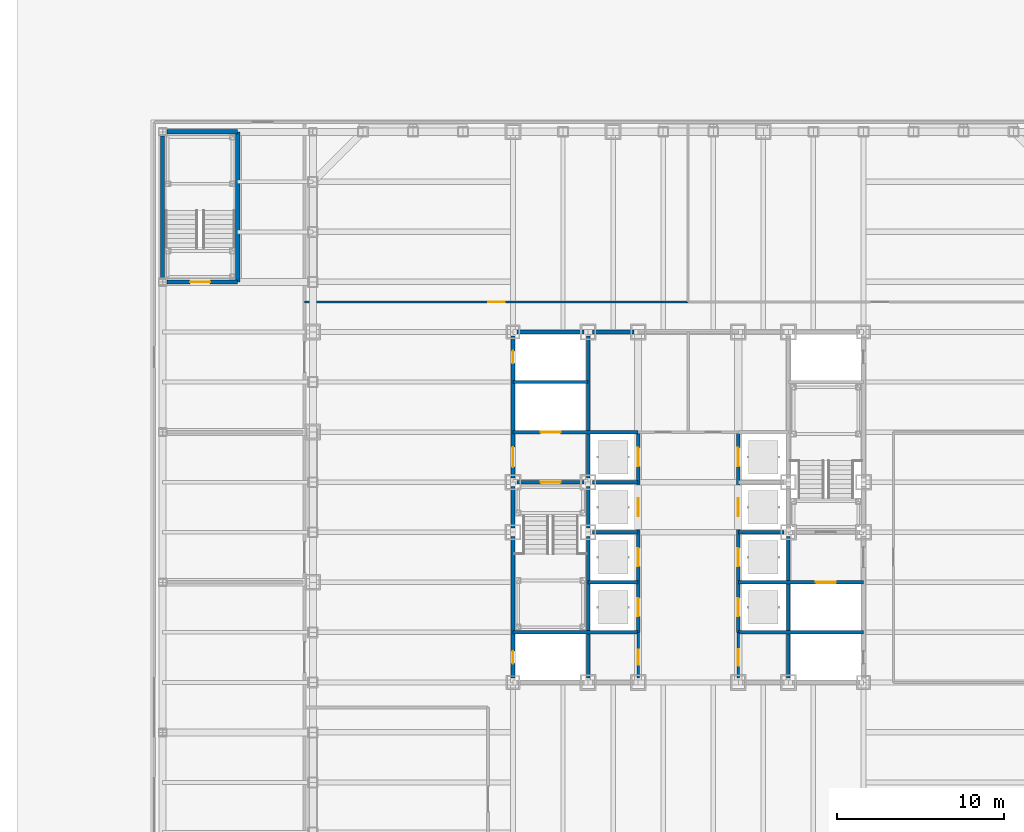
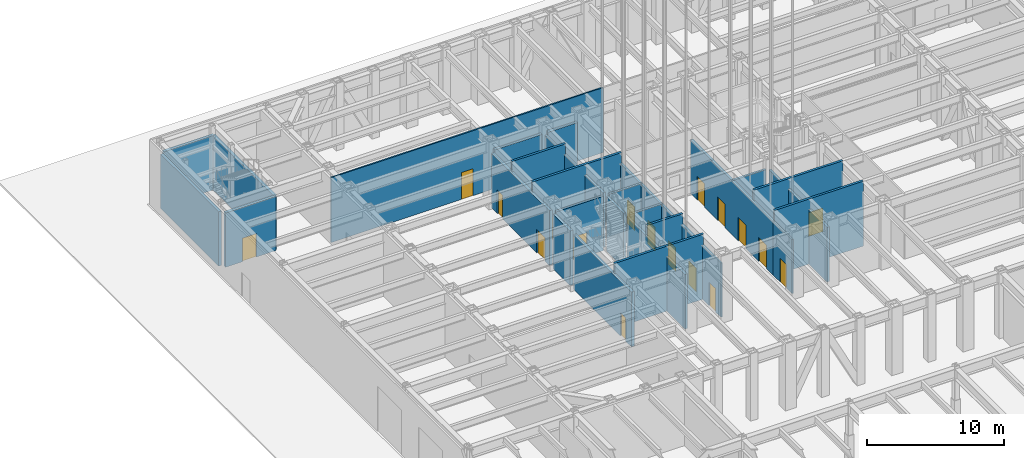
# One storey, part 8 of 35: 28 walls, 18 doors, 18 openings.
"""IFC4 building model written with IfcOpenShell, lengths in metres."""

import ifcopenshell
import ifcopenshell.guid

model = None  # the IFC model being written
_history = None  # IfcOwnerHistory: only IFC2X3 demands one
_inside = {}  # id of a spatial element -> (the spatial element, [elements in it])
_under = {}  # id of a project, library or spatial element -> (it, [spatial elements below it])
_declared = {}  # id of a project -> (the project, [libraries it declares])
_typed = {}  # id of a type object -> (the type object, [elements of that type])
_made_of = {}  # id of a material, layer set ... -> (it, [elements and type objects made of it])


def new_model(schema):
    """Start an empty IFC model of exactly this schema.

    Asked for "IFC4X3", IfcOpenShell would pick the latest addendum, in which some entities
    have other attributes; the version numbers below select the first issue.
    IFC2X3 requires an IfcOwnerHistory on every rooted entity: one is made here for all.
    """
    global model, _history
    if schema == "IFC4X3":
        model = ifcopenshell.file(schema_version=(4, 3, 0, 0))
    else:
        model = ifcopenshell.file(schema=schema)
    _inside.clear()
    _under.clear()
    _declared.clear()
    _typed.clear()
    _made_of.clear()
    _history = None
    if model.schema == "IFC2X3":
        org = make("IfcOrganization", Name="unknown")
        user = make(
            "IfcPersonAndOrganization",
            ThePerson=make("IfcPerson", FamilyName="unknown"),
            TheOrganization=org,
        )
        app = make(
            "IfcApplication",
            ApplicationDeveloper=org,
            Version="unknown",
            ApplicationFullName="unknown",
            ApplicationIdentifier="unknown",
        )
        _history = make(
            "IfcOwnerHistory",
            OwningUser=user,
            OwningApplication=app,
            ChangeAction="ADDED",
            CreationDate=0,
        )
    return model


def make(cls, **values):
    """One entity of the class cls with the attributes given. An attribute that is None is left unset."""
    return model.create_entity(
        cls, **{name: value for name, value in values.items() if value is not None}
    )


def rooted(cls, **values):
    """An entity with a GlobalId (a new one), such as an element, a storey or a relation."""
    return make(cls, GlobalId=ifcopenshell.guid.new(), OwnerHistory=_history, **values)


def si_unit(unit_type, name, prefix=None):
    """IfcSIUnit, for example si_unit("LENGTHUNIT", "METRE", prefix="MILLI")."""
    return make("IfcSIUnit", UnitType=unit_type, Prefix=prefix, Name=name)


def assignment(units):
    """IfcUnitAssignment: the units of a project."""
    return None if units is None else make("IfcUnitAssignment", Units=units)


def point(xyz):
    """IfcCartesianPoint."""
    return None if xyz is None else make("IfcCartesianPoint", Coordinates=xyz)


def direction(xyz):
    """IfcDirection."""
    return None if xyz is None else make("IfcDirection", DirectionRatios=xyz)


def frame(location, z_axis=None, x_axis=None):
    """IfcAxis2Placement3D, a coordinate frame: its origin and axes. An axis left out is left unset."""
    return make(
        "IfcAxis2Placement3D",
        Location=point(location),
        Axis=direction(z_axis),
        RefDirection=direction(x_axis),
    )


def frame_2d(location, x_axis=None):
    """IfcAxis2Placement2D, a coordinate frame in the plane: its origin and x axis."""
    return make(
        "IfcAxis2Placement2D", Location=point(location), RefDirection=direction(x_axis)
    )


def origin():
    """The frame at (0, 0, 0) with its axes left unset."""
    return frame((0.0, 0.0, 0.0))


def place(relative_to, where):
    """IfcLocalPlacement: puts the frame where relative to a parent placement (None: the world)."""
    return make(
        "IfcLocalPlacement", PlacementRelTo=relative_to, RelativePlacement=where
    )


def context(
    kind, dimensions, precision=None, world=None, true_north=None, identifier=None
):
    """IfcGeometricRepresentationContext, for example the 3D "Model" context."""
    return make(
        "IfcGeometricRepresentationContext",
        ContextIdentifier=identifier,
        ContextType=kind,
        CoordinateSpaceDimension=dimensions,
        Precision=precision,
        WorldCoordinateSystem=world,
        TrueNorth=true_north,
    )


def subcontext(parent, identifier, kind, view, scale=None):
    """IfcGeometricRepresentationSubContext, for example "Body" below "Model"."""
    return make(
        "IfcGeometricRepresentationSubContext",
        ContextIdentifier=identifier,
        ContextType=kind,
        ParentContext=parent,
        TargetScale=scale,
        TargetView=view,
    )


def project(units=None, contexts=None):
    """IfcProject with its units and contexts."""
    return rooted(
        "IfcProject",
        Name="project",
        RepresentationContexts=contexts,
        UnitsInContext=assignment(units),
    )


def spatial(cls, under=None, at=None, **own):
    """A site, building, storey or space (cls), placed at a placement, below another one or the project."""
    s = rooted(cls, ObjectPlacement=at, **own)
    if under is not None:
        _under.setdefault(under.id(), (under, []))[1].append(s)
    return s


def profile(cls, at=None, kind="AREA", **sizes):
    """A parametric profile (cls). Its sizes go by their IFC names, for example OverallWidth=200.0."""
    return make(cls, ProfileType=kind, Position=at, **sizes)


def rectangle(**sizes):
    """IfcRectangleProfileDef."""
    return profile("IfcRectangleProfileDef", **sizes)


def extrude(swept, where, along, depth):
    """IfcExtrudedAreaSolid: the profile swept, set in the frame where, extruded along a direction by depth."""
    return make(
        "IfcExtrudedAreaSolid",
        SweptArea=swept,
        Position=where,
        ExtrudedDirection=direction(along),
        Depth=depth,
    )


def shape(context_of_items, identifier, shape_type, items):
    """IfcShapeRepresentation: the items that make up one representation, for example the "Body"."""
    return make(
        "IfcShapeRepresentation",
        ContextOfItems=context_of_items,
        RepresentationIdentifier=identifier,
        RepresentationType=shape_type,
        Items=items,
    )


def material(Name=None, Category=None):
    """IfcMaterial."""
    return make("IfcMaterial", Name=Name, Category=Category)


def layer(
    of_material, thickness, ventilated=None, Name=None, Category=None, Priority=None
):
    """IfcMaterialLayer: one layer of a wall or slab, of a material (None: an air gap)."""
    return make(
        "IfcMaterialLayer",
        Material=of_material,
        LayerThickness=thickness,
        IsVentilated=ventilated,
        Name=Name,
        Category=Category,
        Priority=Priority,
    )


def layer_set(layers, Name=None):
    """IfcMaterialLayerSet."""
    return make("IfcMaterialLayerSet", MaterialLayers=layers, LayerSetName=Name)


def made_of(thing, what):
    """Note that an element or type object is made of a material, layer set ...; save() writes the relation."""
    if what is not None:
        _made_of.setdefault(what.id(), (what, []))[1].append(thing)
    return thing


def type_object(cls, material=None, **own):
    """A type object (cls), such as IfcWallType, which elements share."""
    return made_of(rooted(cls, **own), material)


def element(
    cls,
    number,
    at=None,
    inside=None,
    cuts=None,
    type_object=None,
    material=None,
    context=None,
    identifier="Body",
    shape_type=None,
    held_by="IfcProductDefinitionShape",
    body=None,
    shapes=None,
    **own,
):
    """One element of the class cls, such as IfcWall. Its Tag is "e" and its number.

    at: its placement. inside: the storey or other place that contains it. cuts: it is an
    opening in that element (IfcRelVoidsElement). A single representation is given by context,
    identifier, shape_type and body (its items); several are given by shapes. held_by: the class
    of the entity that holds the representations. save() writes the other relations.
    """
    e = rooted(cls, Tag="e%d" % number, ObjectPlacement=at, **own)
    if body is not None:
        shapes = [shape(context, identifier, shape_type, body)]
    if shapes is not None:
        e.Representation = make(held_by, Representations=shapes)
    if inside is not None:
        _inside.setdefault(inside.id(), (inside, []))[1].append(e)
    if cuts is not None:
        rooted(
            "IfcRelVoidsElement", RelatingBuildingElement=cuts, RelatedOpeningElement=e
        )
    if type_object is not None:
        _typed.setdefault(type_object.id(), (type_object, []))[1].append(e)
    return made_of(e, material)


def fill(opening, filler):
    """IfcRelFillsElement: the door or window that sits in an opening."""
    return rooted(
        "IfcRelFillsElement",
        RelatingOpeningElement=opening,
        RelatedBuildingElement=filler,
    )


def aggregate(whole, parts):
    """IfcRelAggregates: a whole, such as a stair, and the parts it consists of."""
    return rooted("IfcRelAggregates", RelatingObject=whole, RelatedObjects=parts)


def save(model, path):
    """Write the relations noted so far, then the file.

    IfcRelAggregates (storeys below a building ...), IfcRelContainedInSpatialStructure (elements
    in a storey), IfcRelDefinesByType, IfcRelAssociatesMaterial and IfcRelDeclares: one each for
    every whole, place, type object, material and project.
    """
    for whole, parts in _under.values():
        aggregate(whole, parts)
    for where, things in _inside.values():
        rooted(
            "IfcRelContainedInSpatialStructure",
            RelatedElements=things,
            RelatingStructure=where,
        )
    for kind, things in _typed.values():
        rooted("IfcRelDefinesByType", RelatedObjects=things, RelatingType=kind)
    for what, things in _made_of.values():
        rooted("IfcRelAssociatesMaterial", RelatedObjects=things, RelatingMaterial=what)
    for by, libraries in _declared.values():
        rooted("IfcRelDeclares", RelatingContext=by, RelatedDefinitions=libraries)
    model.write(path)


model = new_model("IFC4")

# Units and contexts
model_context = context("Model", 3, precision=1e-05, world=origin(), true_north=direction((0.0, 1.0)))
body_context = subcontext(model_context, "Body", "Model", "MODEL_VIEW")
ifc_project = project(units=[si_unit("LENGTHUNIT", "METRE"), si_unit("AREAUNIT", "SQUARE_METRE"), si_unit("VOLUMEUNIT", "CUBIC_METRE"), si_unit("PLANEANGLEUNIT", "RADIAN"), si_unit("MASSUNIT", "GRAM", prefix="KILO")], contexts=[model_context])

# Site, building, storey
site_placement = place(None, origin())
site = spatial("IfcSite", under=ifc_project, at=site_placement, CompositionType="ELEMENT")
building_placement = place(site_placement, origin())
building = spatial("IfcBuilding", under=site, at=building_placement, Name="Chuquiago Exchange Tower", CompositionType="ELEMENT")
storey_placement = place(building_placement, origin())
storey = spatial("IfcBuildingStorey", under=building, at=storey_placement, Name="L00", CompositionType="ELEMENT", Elevation=0.0)

# Wall, opening, door
ifc_material_1 = material(Name="Concrete masonry, fully grouted", Category="masonry")
ifc_layer_1 = layer(ifc_material_1, 0.25)
ifc_layer_set_1 = layer_set([ifc_layer_1], Name="W1 core wall 250")
wall_type_1 = type_object("IfcWallType", Name="W1 core wall 250", PredefinedType="SOLIDWALL", material=ifc_layer_set_1)
wall_1_placement = place(storey_placement, frame((12.0, 12.25, 0.0), z_axis=(0.0, 0.0, 1.0), x_axis=(0.0, 1.0, 0.0)))
wall_1 = element("IfcWall", 1, at=wall_1_placement, inside=storey, type_object=wall_type_1, Name="CW-L00-00-0", PredefinedType="SOLIDWALL", context=body_context, shape_type="SweptSolid", body=[
    extrude(rectangle(XDim=8.5, YDim=0.25, at=frame_2d((4.25, 0.0))), origin(), (0.0, 0.0, 1.0), 4.872802734375),
])
opening_1_placement = place(wall_1_placement, frame((0.875, 0.0, 0.0)))
opening_1 = element("IfcOpeningElement", 2, at=opening_1_placement, cuts=wall_1, Name="Opening L00-007", PredefinedType="OPENING", context=body_context, shape_type="SweptSolid", body=[
    extrude(rectangle(XDim=0.75, YDim=2.10009765625, at=frame_2d((0.375, 1.050048828125))), frame((0.0, 0.135009765625, 0.0), z_axis=(0.0, -1.0, 0.0), x_axis=(1.0, 0.0, 0.0)), (0.0, 0.0, 1.0), 0.27001953125),
])
ifc_material_2 = material(Name="Steel door, painted", Category="steel")
door_type_1 = type_object("IfcDoorType", Name="D6 riser access door 750x2100", OperationType="SINGLE_SWING_LEFT", PredefinedType="DOOR", material=ifc_material_2)
door_1_placement = place(opening_1_placement, origin())
door_1 = element("IfcDoor", 3, at=door_1_placement, inside=storey, type_object=door_type_1, Name="Riser RW1 door", OperationType="SINGLE_SWING_LEFT", OverallHeight=2.10009765625, OverallWidth=0.75, PredefinedType="DOOR", context=body_context, shape_type="SweptSolid", body=[
    extrude(rectangle(XDim=0.75, YDim=2.10009765625, at=frame_2d((0.375, 1.050048828125))), frame((0.0, 0.02490234375, 0.0), z_axis=(0.0, -1.0, 0.0), x_axis=(1.0, 0.0, 0.0)), (0.0, 0.0, 1.0), 0.050048828125),
])
fill(opening_1, door_1)

# Wall
wall_2_placement = place(storey_placement, frame((12.0, 21.25, 0.0), z_axis=(0.0, 0.0, 1.0), x_axis=(0.0, 1.0, 0.0)))
element("IfcWall", 4, at=wall_2_placement, inside=storey, type_object=wall_type_1, Name="CW-L00-00-1", PredefinedType="SOLIDWALL", context=body_context, shape_type="SweptSolid", body=[
    extrude(rectangle(XDim=2.5, YDim=0.25, at=frame_2d((1.25, 0.0))), origin(), (0.0, 0.0, 1.0), 4.872802734375),
])

# Wall, openings, doors
wall_3_placement = place(storey_placement, frame((12.0, 24.25, 0.0), z_axis=(0.0, 0.0, 1.0), x_axis=(0.0, 1.0, 0.0)))
wall_3 = element("IfcWall", 5, at=wall_3_placement, inside=storey, type_object=wall_type_1, Name="CW-L00-00-2", PredefinedType="SOLIDWALL", context=body_context, shape_type="SweptSolid", body=[
    extrude(rectangle(XDim=8.5, YDim=0.25, at=frame_2d((4.25, 0.0))), origin(), (0.0, 0.0, 1.0), 4.872802734375),
])
opening_2_placement = place(wall_3_placement, frame((0.64990234375, 0.0, 0.0)))
opening_2 = element("IfcOpeningElement", 6, at=opening_2_placement, cuts=wall_3, Name="Opening L00-002", PredefinedType="OPENING", context=body_context, shape_type="SweptSolid", body=[
    extrude(rectangle(XDim=1.199951171875, YDim=2.10009765625, at=frame_2d((0.60009765625, 1.050048828125))), frame((0.0, 0.135009765625, 0.0), z_axis=(0.0, -1.0, 0.0), x_axis=(1.0, 0.0, 0.0)), (0.0, 0.0, 1.0), 0.27001953125),
])
opening_3_placement = place(wall_3_placement, frame((6.875, 0.0, 0.0)))
opening_3 = element("IfcOpeningElement", 7, at=opening_3_placement, cuts=wall_3, Name="Opening L00-008", PredefinedType="OPENING", context=body_context, shape_type="SweptSolid", body=[
    extrude(rectangle(XDim=0.75, YDim=2.10009765625, at=frame_2d((0.375, 1.050048828125))), frame((0.0, 0.135009765625, 0.0), z_axis=(0.0, -1.0, 0.0), x_axis=(1.0, 0.0, 0.0)), (0.0, 0.0, 1.0), 0.27001953125),
])
ifc_material_3 = material(Name="Steel door, painted", Category="steel")
door_type_2 = type_object("IfcDoorType", Name="D5 firefighting lobby door 1200x2100", OperationType="SINGLE_SWING_LEFT", PredefinedType="DOOR", material=ifc_material_3)
door_2_placement = place(opening_2_placement, origin())
door_2 = element("IfcDoor", 8, at=door_2_placement, inside=storey, type_object=door_type_2, Name="Firefighting lobby 1 door", OperationType="SINGLE_SWING_LEFT", OverallHeight=2.10009765625, OverallWidth=1.199951171875, PredefinedType="DOOR", context=body_context, shape_type="SweptSolid", body=[
    extrude(rectangle(XDim=1.199951171875, YDim=2.10009765625, at=frame_2d((0.60009765625, 1.050048828125))), frame((0.0, 0.02490234375, 0.0), z_axis=(0.0, -1.0, 0.0), x_axis=(1.0, 0.0, 0.0)), (0.0, 0.0, 1.0), 0.050048828125),
])
fill(opening_2, door_2)
door_3_placement = place(opening_3_placement, origin())
door_3 = element("IfcDoor", 9, at=door_3_placement, inside=storey, type_object=door_type_1, Name="Riser RW2 door", OperationType="SINGLE_SWING_RIGHT", OverallHeight=2.10009765625, OverallWidth=0.75, PredefinedType="DOOR", context=body_context, shape_type="SweptSolid", body=[
    extrude(rectangle(XDim=0.75, YDim=2.10009765625, at=frame_2d((0.375, 1.050048828125))), frame((0.0, 0.02490234375, 0.0), z_axis=(0.0, -1.0, 0.0), x_axis=(1.0, 0.0, 0.0)), (0.0, 0.0, 1.0), 0.050048828125),
])
fill(opening_3, door_3)

# Walls
wall_4_placement = place(storey_placement, frame((12.25, 33.0, 0.0), z_axis=(0.0, 0.0, 1.0), x_axis=(1.0, 0.0, 0.0)))
element("IfcWall", 10, at=wall_4_placement, inside=storey, type_object=wall_type_1, Name="CW-L00-11-0", PredefinedType="SOLIDWALL", context=body_context, shape_type="SweptSolid", body=[
    extrude(rectangle(XDim=4.0, YDim=0.25, at=frame_2d((2.0, 0.0))), origin(), (0.0, 0.0, 1.0), 4.94140625),
])
wall_5_placement = place(storey_placement, frame((16.75, 33.0, 0.0), z_axis=(0.0, 0.0, 1.0), x_axis=(1.0, 0.0, 0.0)))
element("IfcWall", 11, at=wall_5_placement, inside=storey, type_object=wall_type_1, Name="CW-L00-11-1", PredefinedType="SOLIDWALL", context=body_context, shape_type="SweptSolid", body=[
    extrude(rectangle(XDim=2.5, YDim=0.25, at=frame_2d((1.25, 0.0))), origin(), (0.0, 0.0, 1.0), 4.94140625),
])

# Wall, opening, door
ifc_material_4 = material(Name="Concrete masonry, fully grouted", Category="masonry")
ifc_layer_2 = layer(ifc_material_4, 0.25)
ifc_layer_set_2 = layer_set([ifc_layer_2], Name="W10 podium stair wall 250")
wall_type_2 = type_object("IfcWallType", Name="W10 podium stair wall 250", PredefinedType="SOLIDWALL", material=ifc_layer_set_2)
wall_6_placement = place(storey_placement, frame((-8.75, 36.0, 0.0), z_axis=(0.0, 0.0, 1.0), x_axis=(1.0, 0.0, 0.0)))
wall_6 = element("IfcWall", 12, at=wall_6_placement, inside=storey, type_object=wall_type_2, Name="PSW-L00-PS3-00", PredefinedType="SOLIDWALL", context=body_context, shape_type="SweptSolid", body=[
    extrude(rectangle(XDim=4.25, YDim=0.25, at=frame_2d((2.125, 0.0))), origin(), (0.0, 0.0, 1.0), 4.8525390625),
])
opening_4_placement = place(wall_6_placement, frame((1.39990234375, 0.0, 0.0)))
opening_4 = element("IfcOpeningElement", 13, at=opening_4_placement, cuts=wall_6, Name="Opening L00-036", PredefinedType="OPENING", context=body_context, shape_type="SweptSolid", body=[
    extrude(rectangle(XDim=1.199951171875, YDim=2.10009765625, at=frame_2d((0.60009765625, 1.050048828125))), frame((0.0, 0.135009765625, 0.0), z_axis=(0.0, -1.0, 0.0), x_axis=(1.0, 0.0, 0.0)), (0.0, 0.0, 1.0), 0.27001953125),
])
ifc_material_5 = material(Name="Steel door, painted", Category="steel")
door_type_3 = type_object("IfcDoorType", Name="D4 stair door 1200x2100", OperationType="SINGLE_SWING_LEFT", PredefinedType="DOOR", material=ifc_material_5)
door_4_placement = place(opening_4_placement, frame((1.199951171875, 0.0, 0.0), z_axis=(0.0, 0.0, 1.0), x_axis=(-1.0, 0.0, 0.0)))
door_4 = element("IfcDoor", 14, at=door_4_placement, inside=storey, type_object=door_type_3, Name="Stair PS3 door", OperationType="SINGLE_SWING_RIGHT", OverallHeight=2.10009765625, OverallWidth=1.199951171875, PredefinedType="DOOR", context=body_context, shape_type="SweptSolid", body=[
    extrude(rectangle(XDim=1.199951171875, YDim=2.10009765625, at=frame_2d((0.60009765625, 1.050048828125))), frame((0.0, 0.02490234375, 0.0), z_axis=(0.0, -1.0, 0.0), x_axis=(1.0, 0.0, 0.0)), (0.0, 0.0, 1.0), 0.050048828125),
])
fill(opening_4, door_4)

# Walls
wall_7_placement = place(storey_placement, frame((-4.5, 36.0, 0.0), z_axis=(0.0, 0.0, 1.0), x_axis=(0.0, 1.0, 0.0)))
element("IfcWall", 15, at=wall_7_placement, inside=storey, type_object=wall_type_2, Name="PSW-L00-PS3-10", PredefinedType="SOLIDWALL", context=body_context, shape_type="SweptSolid", body=[
    extrude(rectangle(XDim=9.0, YDim=0.25, at=frame_2d((4.5, 0.0))), origin(), (0.0, 0.0, 1.0), 4.8525390625),
])
wall_8_placement = place(storey_placement, frame((-8.75, 45.0, 0.0), z_axis=(0.0, 0.0, 1.0), x_axis=(1.0, 0.0, 0.0)))
element("IfcWall", 16, at=wall_8_placement, inside=storey, type_object=wall_type_2, Name="PSW-L00-PS3-20", PredefinedType="SOLIDWALL", context=body_context, shape_type="SweptSolid", body=[
    extrude(rectangle(XDim=4.25, YDim=0.25, at=frame_2d((2.125, 0.0))), origin(), (0.0, 0.0, 1.0), 4.8525390625),
])
wall_9_placement = place(storey_placement, frame((-9.0, 36.25, 0.0), z_axis=(0.0, 0.0, 1.0), x_axis=(0.0, 1.0, 0.0)))
element("IfcWall", 17, at=wall_9_placement, inside=storey, type_object=wall_type_2, Name="PSW-L00-PS3-30", PredefinedType="SOLIDWALL", context=body_context, shape_type="SweptSolid", body=[
    extrude(rectangle(XDim=8.5, YDim=0.25, at=frame_2d((4.25, 0.0))), origin(), (0.0, 0.0, 1.0), 4.8525390625),
])
ifc_material_6 = material(Name="Concrete masonry, fully grouted", Category="masonry")
ifc_layer_3 = layer(ifc_material_6, 0.199951171875)
ifc_layer_set_3 = layer_set([ifc_layer_3], Name="W2 shaft wall 200")
wall_type_3 = type_object("IfcWallType", Name="W2 shaft wall 200", PredefinedType="SOLIDWALL", material=ifc_layer_set_3)
for number, where, z_axis, x_axis, name in (
    (18, (12.0, 15.0, 0.0), (0.0, 0.0, 1.0), (1.0, 0.0, 0.0), "CW-L00-03-0"),
    (19, (25.5, 15.0, 0.0), (0.0, 0.0, 1.0), (1.0, 0.0, 0.0), "CW-L00-04-0"),
):
    element("IfcWall", number, at=place(storey_placement, frame(where, z_axis=z_axis, x_axis=x_axis)), inside=storey, type_object=wall_type_3, Name=name, PredefinedType="SOLIDWALL", context=body_context, shape_type="SweptSolid", body=[
        extrude(rectangle(XDim=7.5, YDim=0.199951171875, at=frame_2d((3.75, 0.0))), origin(), (0.0, 0.0, 1.0), 5.800048828125),
    ])

# Wall, opening, door
wall_10_placement = place(storey_placement, frame((12.25, 24.0, 0.0), z_axis=(0.0, 0.0, 1.0), x_axis=(1.0, 0.0, 0.0)))
wall_10 = element("IfcWall", 20, at=wall_10_placement, inside=storey, type_object=wall_type_3, Name="CW-L00-05-0", PredefinedType="SOLIDWALL", context=body_context, shape_type="SweptSolid", body=[
    extrude(rectangle(XDim=4.0, YDim=0.199951171875, at=frame_2d((2.0, 0.0))), origin(), (0.0, 0.0, 1.0), 4.85009765625),
])
opening_5_placement = place(wall_10_placement, frame((1.39990234375, 0.0, 0.0)))
opening_5 = element("IfcOpeningElement", 21, at=opening_5_placement, cuts=wall_10, Name="Opening L00-001", PredefinedType="OPENING", context=body_context, shape_type="SweptSolid", body=[
    extrude(rectangle(XDim=1.199951171875, YDim=2.10009765625, at=frame_2d((0.60009765625, 1.050048828125))), frame((0.0, 0.10986328125, 0.0), z_axis=(0.0, -1.0, 0.0), x_axis=(1.0, 0.0, 0.0)), (0.0, 0.0, 1.0), 0.219970703125),
])
door_5_placement = place(opening_5_placement, origin())
door_5 = element("IfcDoor", 22, at=door_5_placement, inside=storey, type_object=door_type_3, Name="Stair ST1 door", OperationType="SINGLE_SWING_LEFT", OverallHeight=2.10009765625, OverallWidth=1.199951171875, PredefinedType="DOOR", context=body_context, shape_type="SweptSolid", body=[
    extrude(rectangle(XDim=1.199951171875, YDim=2.10009765625, at=frame_2d((0.60009765625, 1.050048828125))), frame((0.0, 0.02490234375, 0.0), z_axis=(0.0, -1.0, 0.0), x_axis=(1.0, 0.0, 0.0)), (0.0, 0.0, 1.0), 0.050048828125),
])
fill(opening_5, door_5)

# Wall
wall_11_placement = place(storey_placement, frame((16.75, 24.0, 0.0), z_axis=(0.0, 0.0, 1.0), x_axis=(1.0, 0.0, 0.0)))
element("IfcWall", 23, at=wall_11_placement, inside=storey, type_object=wall_type_3, Name="CW-L00-05-1", PredefinedType="SOLIDWALL", context=body_context, shape_type="SweptSolid", body=[
    extrude(rectangle(XDim=2.75, YDim=0.199951171875, at=frame_2d((1.375, 0.0))), origin(), (0.0, 0.0, 1.0), 4.85009765625),
])

# Wall, opening, door
wall_12_placement = place(storey_placement, frame((12.0, 27.0, 0.0), z_axis=(0.0, 0.0, 1.0), x_axis=(1.0, 0.0, 0.0)))
wall_12 = element("IfcWall", 24, at=wall_12_placement, inside=storey, type_object=wall_type_3, Name="CW-L00-07-0", PredefinedType="SOLIDWALL", context=body_context, shape_type="SweptSolid", body=[
    extrude(rectangle(XDim=7.5, YDim=0.199951171875, at=frame_2d((3.75, 0.0))), origin(), (0.0, 0.0, 1.0), 5.800048828125),
])
opening_6_placement = place(wall_12_placement, frame((1.64990234375, 0.0, 0.0)))
opening_6 = element("IfcOpeningElement", 25, at=opening_6_placement, cuts=wall_12, Name="Opening L00-005", PredefinedType="OPENING", context=body_context, shape_type="SweptSolid", body=[
    extrude(rectangle(XDim=1.199951171875, YDim=2.10009765625, at=frame_2d((0.60009765625, 1.050048828125))), frame((0.0, 0.10986328125, 0.0), z_axis=(0.0, -1.0, 0.0), x_axis=(1.0, 0.0, 0.0)), (0.0, 0.0, 1.0), 0.219970703125),
])
ifc_material_7 = material(Name="Stainless steel lift landing door", Category="steel")
door_type_4 = type_object("IfcDoorType", Name="LD2 firefighting lift landing door 1200x2100", OperationType="DOUBLE_DOOR_SLIDING", PredefinedType="DOOR", material=ifc_material_7)
door_6_placement = place(opening_6_placement, origin())
door_6 = element("IfcDoor", 26, at=door_6_placement, inside=storey, type_object=door_type_4, Name="Firefighting lift FL1 landing door", OperationType="DOUBLE_DOOR_SLIDING", OverallHeight=2.10009765625, OverallWidth=1.199951171875, PredefinedType="DOOR", context=body_context, shape_type="SweptSolid", body=[
    extrude(rectangle(XDim=1.199951171875, YDim=2.10009765625, at=frame_2d((0.60009765625, 1.050048828125))), frame((0.0, 0.02490234375, 0.0), z_axis=(0.0, -1.0, 0.0), x_axis=(1.0, 0.0, 0.0)), (0.0, 0.0, 1.0), 0.050048828125),
])
fill(opening_6, door_6)

# Walls
wall_13_placement = place(storey_placement, frame((12.0, 30.0, 0.0), z_axis=(0.0, 0.0, 1.0), x_axis=(1.0, 0.0, 0.0)))
element("IfcWall", 27, at=wall_13_placement, inside=storey, type_object=wall_type_3, Name="CW-L00-09-0", PredefinedType="SOLIDWALL", context=body_context, shape_type="SweptSolid", body=[
    extrude(rectangle(XDim=4.5, YDim=0.199951171875, at=frame_2d((2.25, 0.0))), origin(), (0.0, 0.0, 1.0), 5.800048828125),
])
wall_14_placement = place(storey_placement, frame((16.5, 12.25, 0.0), z_axis=(0.0, 0.0, 1.0), x_axis=(0.0, 1.0, 0.0)))
element("IfcWall", 28, at=wall_14_placement, inside=storey, type_object=wall_type_3, Name="CW-L00-13-0", PredefinedType="SOLIDWALL", context=body_context, shape_type="SweptSolid", body=[
    extrude(rectangle(XDim=8.5, YDim=0.199951171875, at=frame_2d((4.25, 0.0))), origin(), (0.0, 0.0, 1.0), 4.872802734375),
])
wall_15_placement = place(storey_placement, frame((16.5, 21.25, 0.0), z_axis=(0.0, 0.0, 1.0), x_axis=(0.0, 1.0, 0.0)))
element("IfcWall", 29, at=wall_15_placement, inside=storey, type_object=wall_type_3, Name="CW-L00-13-1", PredefinedType="SOLIDWALL", context=body_context, shape_type="SweptSolid", body=[
    extrude(rectangle(XDim=2.5, YDim=0.199951171875, at=frame_2d((1.25, 0.0))), origin(), (0.0, 0.0, 1.0), 4.872802734375),
])
wall_16_placement = place(storey_placement, frame((16.5, 24.25, 0.0), z_axis=(0.0, 0.0, 1.0), x_axis=(0.0, 1.0, 0.0)))
element("IfcWall", 30, at=wall_16_placement, inside=storey, type_object=wall_type_3, Name="CW-L00-13-2", PredefinedType="SOLIDWALL", context=body_context, shape_type="SweptSolid", body=[
    extrude(rectangle(XDim=8.5, YDim=0.199951171875, at=frame_2d((4.25, 0.0))), origin(), (0.0, 0.0, 1.0), 4.872802734375),
])
wall_17_placement = place(storey_placement, frame((16.5, 18.0, 0.0), z_axis=(0.0, 0.0, 1.0), x_axis=(1.0, 0.0, 0.0)))
element("IfcWall", 31, at=wall_17_placement, inside=storey, type_object=wall_type_3, Name="CW-L00-14-0", PredefinedType="SOLIDWALL", context=body_context, shape_type="SweptSolid", body=[
    extrude(rectangle(XDim=3.0, YDim=0.199951171875, at=frame_2d((1.5, 0.0))), origin(), (0.0, 0.0, 1.0), 5.800048828125),
])

# Wall, opening, door
wall_18_placement = place(storey_placement, frame((25.5, 18.0, 0.0), z_axis=(0.0, 0.0, 1.0), x_axis=(1.0, 0.0, 0.0)))
wall_18 = element("IfcWall", 32, at=wall_18_placement, inside=storey, type_object=wall_type_3, Name="CW-L00-15-0", PredefinedType="SOLIDWALL", context=body_context, shape_type="SweptSolid", body=[
    extrude(rectangle(XDim=7.5, YDim=0.199951171875, at=frame_2d((3.75, 0.0))), origin(), (0.0, 0.0, 1.0), 5.800048828125),
])
opening_7_placement = place(wall_18_placement, frame((4.64990234375, 0.0, 0.0)))
opening_7 = element("IfcOpeningElement", 33, at=opening_7_placement, cuts=wall_18, Name="Opening L00-006", PredefinedType="OPENING", context=body_context, shape_type="SweptSolid", body=[
    extrude(rectangle(XDim=1.199951171875, YDim=2.10009765625, at=frame_2d((0.60009765625, 1.050048828125))), frame((0.0, 0.10986328125, 0.0), z_axis=(0.0, -1.0, 0.0), x_axis=(1.0, 0.0, 0.0)), (0.0, 0.0, 1.0), 0.219970703125),
])
door_7_placement = place(opening_7_placement, origin())
door_7 = element("IfcDoor", 34, at=door_7_placement, inside=storey, type_object=door_type_4, Name="Firefighting lift FL2 landing door", OperationType="DOUBLE_DOOR_SLIDING", OverallHeight=2.10009765625, OverallWidth=1.199951171875, PredefinedType="DOOR", context=body_context, shape_type="SweptSolid", body=[
    extrude(rectangle(XDim=1.199951171875, YDim=2.10009765625, at=frame_2d((0.60009765625, 1.050048828125))), frame((0.0, 0.02490234375, 0.0), z_axis=(0.0, -1.0, 0.0), x_axis=(1.0, 0.0, 0.0)), (0.0, 0.0, 1.0), 0.050048828125),
])
fill(opening_7, door_7)

# Walls
for number, where, z_axis, x_axis, name in (
    (35, (16.75, 21.0, 0.0), (0.0, 0.0, 1.0), (1.0, 0.0, 0.0), "CW-L00-16-0"),
    (36, (25.5, 21.0, 0.0), (0.0, 0.0, 1.0), (1.0, 0.0, 0.0), "CW-L00-17-0"),
):
    element("IfcWall", number, at=place(storey_placement, frame(where, z_axis=z_axis, x_axis=x_axis)), inside=storey, type_object=wall_type_3, Name=name, PredefinedType="SOLIDWALL", context=body_context, shape_type="SweptSolid", body=[
        extrude(rectangle(XDim=2.75, YDim=0.199951171875, at=frame_2d((1.375, 0.0))), origin(), (0.0, 0.0, 1.0), 4.85009765625),
    ])

# Wall, openings, doors
wall_19_placement = place(storey_placement, frame((19.5, 15.0, 0.0), z_axis=(0.0, 0.0, 1.0), x_axis=(0.0, 1.0, 0.0)))
wall_19 = element("IfcWall", 37, at=wall_19_placement, inside=storey, type_object=wall_type_3, Name="CW-L00-19-0", PredefinedType="SOLIDWALL", context=body_context, shape_type="SweptSolid", body=[
    extrude(rectangle(XDim=12.0, YDim=0.199951171875, at=frame_2d((6.0, 0.0))), origin(), (0.0, 0.0, 1.0), 4.82470703125),
])
opening_8_placement = place(wall_19_placement, frame((0.949951171875, 0.0, 0.0)))
opening_8 = element("IfcOpeningElement", 38, at=opening_8_placement, cuts=wall_19, Name="Opening L00-015", PredefinedType="OPENING", context=body_context, shape_type="SweptSolid", body=[
    extrude(rectangle(XDim=1.10009765625, YDim=2.10009765625, at=frame_2d((0.550048828125, 1.050048828125))), frame((0.0, 0.10986328125, 0.0), z_axis=(0.0, -1.0, 0.0), x_axis=(1.0, 0.0, 0.0)), (0.0, 0.0, 1.0), 0.219970703125),
])
opening_9_placement = place(wall_19_placement, frame((3.949951171875, 0.0, 0.0)))
opening_9 = element("IfcOpeningElement", 39, at=opening_9_placement, cuts=wall_19, Name="Opening L00-017", PredefinedType="OPENING", context=body_context, shape_type="SweptSolid", body=[
    extrude(rectangle(XDim=1.10009765625, YDim=2.10009765625, at=frame_2d((0.550048828125, 1.050048828125))), frame((0.0, 0.10986328125, 0.0), z_axis=(0.0, -1.0, 0.0), x_axis=(1.0, 0.0, 0.0)), (0.0, 0.0, 1.0), 0.219970703125),
])
opening_10_placement = place(wall_19_placement, frame((6.949951171875, 0.0, 0.0)))
opening_10 = element("IfcOpeningElement", 40, at=opening_10_placement, cuts=wall_19, Name="Opening L00-019", PredefinedType="OPENING", context=body_context, shape_type="SweptSolid", body=[
    extrude(rectangle(XDim=1.10009765625, YDim=2.10009765625, at=frame_2d((0.550048828125, 1.050048828125))), frame((0.0, 0.10986328125, 0.0), z_axis=(0.0, -1.0, 0.0), x_axis=(1.0, 0.0, 0.0)), (0.0, 0.0, 1.0), 0.219970703125),
])
opening_11_placement = place(wall_19_placement, frame((9.949951171875, 0.0, 0.0)))
opening_11 = element("IfcOpeningElement", 41, at=opening_11_placement, cuts=wall_19, Name="Opening L00-021", PredefinedType="OPENING", context=body_context, shape_type="SweptSolid", body=[
    extrude(rectangle(XDim=1.10009765625, YDim=2.10009765625, at=frame_2d((0.550048828125, 1.050048828125))), frame((0.0, 0.10986328125, 0.0), z_axis=(0.0, -1.0, 0.0), x_axis=(1.0, 0.0, 0.0)), (0.0, 0.0, 1.0), 0.219970703125),
])
ifc_material_8 = material(Name="Stainless steel lift landing door", Category="steel")
door_type_5 = type_object("IfcDoorType", Name="LD1 lift landing door 1100x2100", OperationType="DOUBLE_DOOR_SLIDING", PredefinedType="DOOR", material=ifc_material_8)
door_8_placement = place(opening_8_placement, origin())
door_8 = element("IfcDoor", 42, at=door_8_placement, inside=storey, type_object=door_type_5, Name="Lift LA1 landing door", OperationType="DOUBLE_DOOR_SLIDING", OverallHeight=2.10009765625, OverallWidth=1.10009765625, PredefinedType="DOOR", context=body_context, shape_type="SweptSolid", body=[
    extrude(rectangle(XDim=1.10009765625, YDim=2.10009765625, at=frame_2d((0.550048828125, 1.050048828125))), frame((0.0, 0.02490234375, 0.0), z_axis=(0.0, -1.0, 0.0), x_axis=(1.0, 0.0, 0.0)), (0.0, 0.0, 1.0), 0.050048828125),
])
fill(opening_8, door_8)
door_9_placement = place(opening_9_placement, origin())
door_9 = element("IfcDoor", 43, at=door_9_placement, inside=storey, type_object=door_type_5, Name="Lift LA2 landing door", OperationType="DOUBLE_DOOR_SLIDING", OverallHeight=2.10009765625, OverallWidth=1.10009765625, PredefinedType="DOOR", context=body_context, shape_type="SweptSolid", body=[
    extrude(rectangle(XDim=1.10009765625, YDim=2.10009765625, at=frame_2d((0.550048828125, 1.050048828125))), frame((0.0, 0.02490234375, 0.0), z_axis=(0.0, -1.0, 0.0), x_axis=(1.0, 0.0, 0.0)), (0.0, 0.0, 1.0), 0.050048828125),
])
fill(opening_9, door_9)
door_10_placement = place(opening_10_placement, origin())
door_10 = element("IfcDoor", 44, at=door_10_placement, inside=storey, type_object=door_type_5, Name="Lift LA3 landing door", OperationType="DOUBLE_DOOR_SLIDING", OverallHeight=2.10009765625, OverallWidth=1.10009765625, PredefinedType="DOOR", context=body_context, shape_type="SweptSolid", body=[
    extrude(rectangle(XDim=1.10009765625, YDim=2.10009765625, at=frame_2d((0.550048828125, 1.050048828125))), frame((0.0, 0.02490234375, 0.0), z_axis=(0.0, -1.0, 0.0), x_axis=(1.0, 0.0, 0.0)), (0.0, 0.0, 1.0), 0.050048828125),
])
fill(opening_10, door_10)
door_11_placement = place(opening_11_placement, origin())
door_11 = element("IfcDoor", 45, at=door_11_placement, inside=storey, type_object=door_type_5, Name="Lift LA4 landing door", OperationType="DOUBLE_DOOR_SLIDING", OverallHeight=2.10009765625, OverallWidth=1.10009765625, PredefinedType="DOOR", context=body_context, shape_type="SweptSolid", body=[
    extrude(rectangle(XDim=1.10009765625, YDim=2.10009765625, at=frame_2d((0.550048828125, 1.050048828125))), frame((0.0, 0.02490234375, 0.0), z_axis=(0.0, -1.0, 0.0), x_axis=(1.0, 0.0, 0.0)), (0.0, 0.0, 1.0), 0.050048828125),
])
fill(opening_11, door_11)

wall_20_placement = place(storey_placement, frame((25.5, 15.0, 0.0), z_axis=(0.0, 0.0, 1.0), x_axis=(0.0, 1.0, 0.0)))
wall_20 = element("IfcWall", 46, at=wall_20_placement, inside=storey, type_object=wall_type_3, Name="CW-L00-22-0", PredefinedType="SOLIDWALL", context=body_context, shape_type="SweptSolid", body=[
    extrude(rectangle(XDim=12.0, YDim=0.199951171875, at=frame_2d((6.0, 0.0))), origin(), (0.0, 0.0, 1.0), 4.82470703125),
])
opening_12_placement = place(wall_20_placement, frame((0.949951171875, 0.0, 0.0)))
opening_12 = element("IfcOpeningElement", 47, at=opening_12_placement, cuts=wall_20, Name="Opening L00-016", PredefinedType="OPENING", context=body_context, shape_type="SweptSolid", body=[
    extrude(rectangle(XDim=1.10009765625, YDim=2.10009765625, at=frame_2d((0.550048828125, 1.050048828125))), frame((0.0, 0.10986328125, 0.0), z_axis=(0.0, -1.0, 0.0), x_axis=(1.0, 0.0, 0.0)), (0.0, 0.0, 1.0), 0.219970703125),
])
opening_13_placement = place(wall_20_placement, frame((3.949951171875, 0.0, 0.0)))
opening_13 = element("IfcOpeningElement", 48, at=opening_13_placement, cuts=wall_20, Name="Opening L00-018", PredefinedType="OPENING", context=body_context, shape_type="SweptSolid", body=[
    extrude(rectangle(XDim=1.10009765625, YDim=2.10009765625, at=frame_2d((0.550048828125, 1.050048828125))), frame((0.0, 0.10986328125, 0.0), z_axis=(0.0, -1.0, 0.0), x_axis=(1.0, 0.0, 0.0)), (0.0, 0.0, 1.0), 0.219970703125),
])
opening_14_placement = place(wall_20_placement, frame((6.949951171875, 0.0, 0.0)))
opening_14 = element("IfcOpeningElement", 49, at=opening_14_placement, cuts=wall_20, Name="Opening L00-020", PredefinedType="OPENING", context=body_context, shape_type="SweptSolid", body=[
    extrude(rectangle(XDim=1.10009765625, YDim=2.10009765625, at=frame_2d((0.550048828125, 1.050048828125))), frame((0.0, 0.10986328125, 0.0), z_axis=(0.0, -1.0, 0.0), x_axis=(1.0, 0.0, 0.0)), (0.0, 0.0, 1.0), 0.219970703125),
])
opening_15_placement = place(wall_20_placement, frame((9.949951171875, 0.0, 0.0)))
opening_15 = element("IfcOpeningElement", 50, at=opening_15_placement, cuts=wall_20, Name="Opening L00-022", PredefinedType="OPENING", context=body_context, shape_type="SweptSolid", body=[
    extrude(rectangle(XDim=1.10009765625, YDim=2.10009765625, at=frame_2d((0.550048828125, 1.050048828125))), frame((0.0, 0.10986328125, 0.0), z_axis=(0.0, -1.0, 0.0), x_axis=(1.0, 0.0, 0.0)), (0.0, 0.0, 1.0), 0.219970703125),
])
door_12_placement = place(opening_12_placement, origin())
door_12 = element("IfcDoor", 51, at=door_12_placement, inside=storey, type_object=door_type_5, Name="Lift LS1 landing door", OperationType="DOUBLE_DOOR_SLIDING", OverallHeight=2.10009765625, OverallWidth=1.10009765625, PredefinedType="DOOR", context=body_context, shape_type="SweptSolid", body=[
    extrude(rectangle(XDim=1.10009765625, YDim=2.10009765625, at=frame_2d((0.550048828125, 1.050048828125))), frame((0.0, 0.02490234375, 0.0), z_axis=(0.0, -1.0, 0.0), x_axis=(1.0, 0.0, 0.0)), (0.0, 0.0, 1.0), 0.050048828125),
])
fill(opening_12, door_12)
door_13_placement = place(opening_13_placement, origin())
door_13 = element("IfcDoor", 52, at=door_13_placement, inside=storey, type_object=door_type_5, Name="Lift LS2 landing door", OperationType="DOUBLE_DOOR_SLIDING", OverallHeight=2.10009765625, OverallWidth=1.10009765625, PredefinedType="DOOR", context=body_context, shape_type="SweptSolid", body=[
    extrude(rectangle(XDim=1.10009765625, YDim=2.10009765625, at=frame_2d((0.550048828125, 1.050048828125))), frame((0.0, 0.02490234375, 0.0), z_axis=(0.0, -1.0, 0.0), x_axis=(1.0, 0.0, 0.0)), (0.0, 0.0, 1.0), 0.050048828125),
])
fill(opening_13, door_13)
door_14_placement = place(opening_14_placement, origin())
door_14 = element("IfcDoor", 53, at=door_14_placement, inside=storey, type_object=door_type_5, Name="Lift LS3 landing door", OperationType="DOUBLE_DOOR_SLIDING", OverallHeight=2.10009765625, OverallWidth=1.10009765625, PredefinedType="DOOR", context=body_context, shape_type="SweptSolid", body=[
    extrude(rectangle(XDim=1.10009765625, YDim=2.10009765625, at=frame_2d((0.550048828125, 1.050048828125))), frame((0.0, 0.02490234375, 0.0), z_axis=(0.0, -1.0, 0.0), x_axis=(1.0, 0.0, 0.0)), (0.0, 0.0, 1.0), 0.050048828125),
])
fill(opening_14, door_14)
door_15_placement = place(opening_15_placement, origin())
door_15 = element("IfcDoor", 54, at=door_15_placement, inside=storey, type_object=door_type_5, Name="Lift LS4 landing door", OperationType="DOUBLE_DOOR_SLIDING", OverallHeight=2.10009765625, OverallWidth=1.10009765625, PredefinedType="DOOR", context=body_context, shape_type="SweptSolid", body=[
    extrude(rectangle(XDim=1.10009765625, YDim=2.10009765625, at=frame_2d((0.550048828125, 1.050048828125))), frame((0.0, 0.02490234375, 0.0), z_axis=(0.0, -1.0, 0.0), x_axis=(1.0, 0.0, 0.0)), (0.0, 0.0, 1.0), 0.050048828125),
])
fill(opening_15, door_15)

# Wall
wall_21_placement = place(storey_placement, frame((28.5, 12.25, 0.0), z_axis=(0.0, 0.0, 1.0), x_axis=(0.0, 1.0, 0.0)))
element("IfcWall", 55, at=wall_21_placement, inside=storey, type_object=wall_type_3, Name="CW-L00-24-0", PredefinedType="SOLIDWALL", context=body_context, shape_type="SweptSolid", body=[
    extrude(rectangle(XDim=8.5, YDim=0.199951171875, at=frame_2d((4.25, 0.0))), origin(), (0.0, 0.0, 1.0), 4.872802734375),
])

# Wall, opening, door
ifc_material_9 = material(Name="Gypsum board on steel studs", Category="steel")
ifc_layer_4 = layer(ifc_material_9, 0.14990234375)
ifc_layer_set_4 = layer_set([ifc_layer_4], Name="W3 core partition 150")
wall_type_4 = type_object("IfcWallType", Name="W3 core partition 150", PredefinedType="PARTITIONING", material=ifc_layer_set_4)
wall_22_placement = place(storey_placement, frame((19.5, 12.25, 0.0), z_axis=(0.0, 0.0, 1.0), x_axis=(0.0, 1.0, 0.0)))
wall_22 = element("IfcWall", 56, at=wall_22_placement, inside=storey, type_object=wall_type_4, Name="CW-L00-18-0", PredefinedType="PARTITIONING", context=body_context, shape_type="SweptSolid", body=[
    extrude(rectangle(XDim=2.75, YDim=0.14990234375, at=frame_2d((1.375, 0.0))), origin(), (0.0, 0.0, 1.0), 4.82470703125),
])
opening_16_placement = place(wall_22_placement, frame((0.800048828125, 0.0, 0.0)))
opening_16 = element("IfcOpeningElement", 57, at=opening_16_placement, cuts=wall_22, Name="Opening L00-014", PredefinedType="OPENING", context=body_context, shape_type="SweptSolid", body=[
    extrude(rectangle(XDim=0.89990234375, YDim=2.10009765625, at=frame_2d((0.449951171875, 1.050048828125))), frame((0.0, 0.0849609375, 0.0), z_axis=(0.0, -1.0, 0.0), x_axis=(1.0, 0.0, 0.0)), (0.0, 0.0, 1.0), 0.169921875),
])
ifc_material_10 = material(Name="Timber door, laminate faced", Category="wood")
door_type_6 = type_object("IfcDoorType", Name="D7 toilet door 900x2100", OperationType="SINGLE_SWING_LEFT", PredefinedType="DOOR", material=ifc_material_10)
door_16_placement = place(opening_16_placement, frame((0.89990234375, 0.0, 0.0), z_axis=(0.0, 0.0, 1.0), x_axis=(-1.0, 0.0, 0.0)))
door_16 = element("IfcDoor", 58, at=door_16_placement, inside=storey, type_object=door_type_6, Name="Cleaner door", OperationType="SINGLE_SWING_RIGHT", OverallHeight=2.10009765625, OverallWidth=0.89990234375, PredefinedType="DOOR", context=body_context, shape_type="SweptSolid", body=[
    extrude(rectangle(XDim=0.89990234375, YDim=2.10009765625, at=frame_2d((0.449951171875, 1.050048828125))), frame((0.0, 0.02490234375, 0.0), z_axis=(0.0, -1.0, 0.0), x_axis=(1.0, 0.0, 0.0)), (0.0, 0.0, 1.0), 0.050048828125),
])
fill(opening_16, door_16)

wall_23_placement = place(storey_placement, frame((25.5, 12.25, 0.0), z_axis=(0.0, 0.0, 1.0), x_axis=(0.0, 1.0, 0.0)))
wall_23 = element("IfcWall", 59, at=wall_23_placement, inside=storey, type_object=wall_type_4, Name="CW-L00-21-0", PredefinedType="PARTITIONING", context=body_context, shape_type="SweptSolid", body=[
    extrude(rectangle(XDim=2.75, YDim=0.14990234375, at=frame_2d((1.375, 0.0))), origin(), (0.0, 0.0, 1.0), 4.82470703125),
])
opening_17_placement = place(wall_23_placement, frame((0.75, 0.0, 0.0)))
opening_17 = element("IfcOpeningElement", 60, at=opening_17_placement, cuts=wall_23, Name="Opening L00-013", PredefinedType="OPENING", context=body_context, shape_type="SweptSolid", body=[
    extrude(rectangle(XDim=1.0, YDim=2.10009765625, at=frame_2d((0.5, 1.050048828125))), frame((0.0, 0.0849609375, 0.0), z_axis=(0.0, -1.0, 0.0), x_axis=(1.0, 0.0, 0.0)), (0.0, 0.0, 1.0), 0.169921875),
])
ifc_material_11 = material(Name="Timber door, laminate faced", Category="wood")
door_type_7 = type_object("IfcDoorType", Name="D8 accessible toilet door 1000x2100", OperationType="SLIDING_TO_LEFT", PredefinedType="DOOR", material=ifc_material_11)
door_17_placement = place(opening_17_placement, origin())
door_17 = element("IfcDoor", 61, at=door_17_placement, inside=storey, type_object=door_type_7, Name="Accessible WC door", OperationType="SLIDING_TO_LEFT", OverallHeight=2.10009765625, OverallWidth=1.0, PredefinedType="DOOR", context=body_context, shape_type="SweptSolid", body=[
    extrude(rectangle(XDim=1.0, YDim=2.10009765625, at=frame_2d((0.5, 1.050048828125))), frame((0.0, 0.02490234375, 0.0), z_axis=(0.0, -1.0, 0.0), x_axis=(1.0, 0.0, 0.0)), (0.0, 0.0, 1.0), 0.050048828125),
])
fill(opening_17, door_17)

ifc_material_12 = material(Name="Gypsum board on steel studs", Category="steel")
ifc_layer_5 = layer(ifc_material_12, 0.1201171875)
ifc_layer_set_5 = layer_set([ifc_layer_5], Name="W4 partition 120")
wall_type_5 = type_object("IfcWallType", Name="W4 partition 120", PredefinedType="PARTITIONING", material=ifc_layer_set_5)
wall_24_placement = place(storey_placement, frame((-0.5, 34.800048828125, 0.0), z_axis=(0.0, 0.0, 1.0), x_axis=(1.0, 0.0, 0.0)))
wall_24 = element("IfcWall", 62, at=wall_24_placement, inside=storey, type_object=wall_type_5, Name="PW-L00-P0", PredefinedType="PARTITIONING", context=body_context, shape_type="SweptSolid", body=[
    extrude(rectangle(XDim=23.0, YDim=0.1201171875, at=frame_2d((11.5, 0.0))), origin(), (0.0, 0.0, 1.0), 5.800048828125),
])
opening_18_placement = place(wall_24_placement, frame((11.0, 0.0, 0.0)))
opening_18 = element("IfcOpeningElement", 63, at=opening_18_placement, cuts=wall_24, Name="Opening L00-024", PredefinedType="OPENING", context=body_context, shape_type="SweptSolid", body=[
    extrude(rectangle(XDim=1.0, YDim=2.39990234375, at=frame_2d((0.5, 1.199951171875))), frame((0.0, 0.070068359375, 0.0), z_axis=(0.0, -1.0, 0.0), x_axis=(1.0, 0.0, 0.0)), (0.0, 0.0, 1.0), 0.14013671875),
])
ifc_material_13 = material(Name="Timber door, laminate faced", Category="wood")
door_type_8 = type_object("IfcDoorType", Name="D9 room door 1000x2400", OperationType="SINGLE_SWING_LEFT", PredefinedType="DOOR", material=ifc_material_13)
door_18_placement = place(opening_18_placement, frame((1.0, 0.0, 0.0), z_axis=(0.0, 0.0, 1.0), x_axis=(-1.0, 0.0, 0.0)))
door_18 = element("IfcDoor", 64, at=door_18_placement, inside=storey, type_object=door_type_8, Name="Visitor centre door", OperationType="SINGLE_SWING_RIGHT", OverallHeight=2.39990234375, OverallWidth=1.0, PredefinedType="DOOR", context=body_context, shape_type="SweptSolid", body=[
    extrude(rectangle(XDim=1.0, YDim=2.39990234375, at=frame_2d((0.5, 1.199951171875))), frame((0.0, 0.02490234375, 0.0), z_axis=(0.0, -1.0, 0.0), x_axis=(1.0, 0.0, 0.0)), (0.0, 0.0, 1.0), 0.050048828125),
])
fill(opening_18, door_18)

save(model, "model.ifc")
